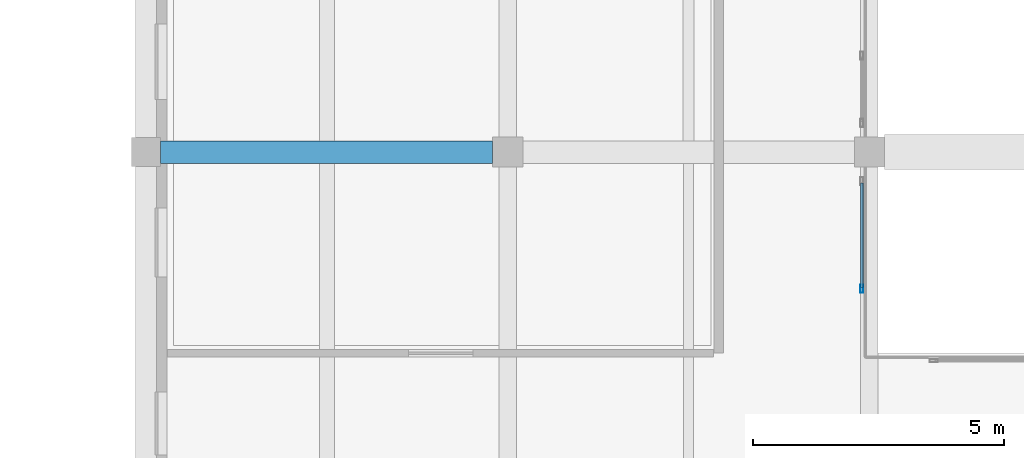
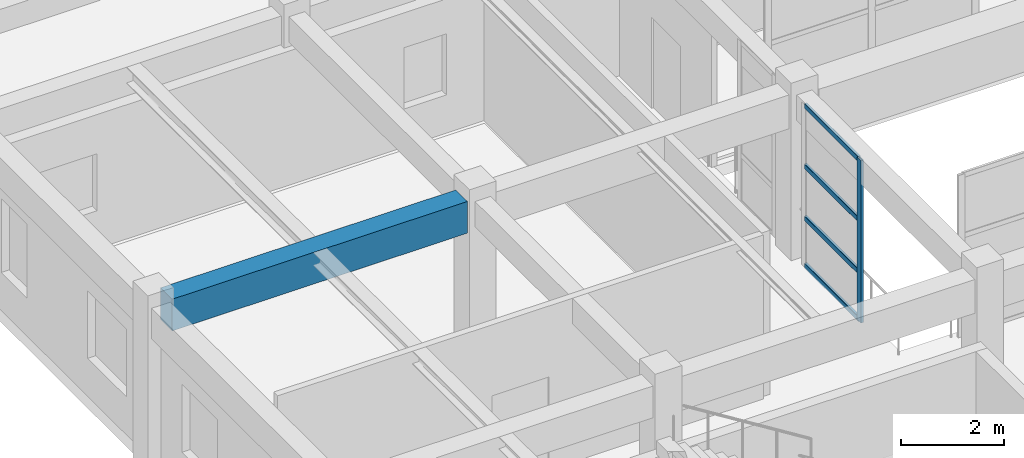
# One storey, part 31 of 99: 5 members, 1 beam, 1 element without a shape of its own.
"""IFC4 building model written with IfcOpenShell, lengths in metres."""

from ifc_helpers import new_model, si_unit, direction, frame, origin, origin_2d, place, context, subcontext, project, spatial, rectangle, hollow_rectangle, extrude, material, material_profile, profile_set, type_object, element, aggregate, save


model = new_model("IFC4")

# Units and contexts
model_context = context("Model", 3, precision=1e-05, world=origin(), true_north=direction((0.0, 1.0)))
body_context = subcontext(model_context, "Body", "Model", "MODEL_VIEW")
ifc_project = project(units=[si_unit("LENGTHUNIT", "METRE"), si_unit("AREAUNIT", "SQUARE_METRE"), si_unit("VOLUMEUNIT", "CUBIC_METRE"), si_unit("PLANEANGLEUNIT", "RADIAN"), si_unit("MASSUNIT", "GRAM", prefix="KILO")], contexts=[model_context])

# Site, building, storey
site_placement = place(None, origin())
site = spatial("IfcSite", under=ifc_project, at=site_placement, CompositionType="ELEMENT")
building_placement = place(site_placement, origin())
building = spatial("IfcBuilding", under=site, at=building_placement, Name="Bramveld Media Centre", CompositionType="ELEMENT")
storey_placement = place(building_placement, frame((0.0, 0.0, 13.800048828125)))
storey = spatial("IfcBuildingStorey", under=building, at=storey_placement, Name="L03", CompositionType="ELEMENT", Elevation=13.800048828125)

# Beam
ifc_material_1 = material(Name="Concrete C40/50", Category="concrete")
ifc_material_profile_1 = material_profile(ifc_material_1, rectangle(XDim=0.449951171875, YDim=0.75, at=origin_2d()), Name="RC 450x750")
ifc_profile_set_1 = profile_set([ifc_material_profile_1], Name="Concrete C40/50")
beam_type = type_object("IfcBeamType", Name="BM-INT-RC-450x750", PredefinedType="BEAM", material=ifc_profile_set_1)
beam_placement = place(storey_placement, frame((65.889892578125, 104.800048828125, 3.5048828125), z_axis=(1.0, 0.0, 0.0), x_axis=(0.0, 1.0, 0.0)))
element("IfcBeam", 1, at=beam_placement, inside=storey, type_object=beam_type, Name="V6 L03 girder X-1144", PredefinedType="BEAM", context=body_context, shape_type="SweptSolid", body=[
    extrude(rectangle(XDim=0.449951171875, YDim=0.75, at=origin_2d()), origin(), (0.0, 0.0, 1.0), 6.610107421875),
])

# Curtain wall, members
ifc_material_2 = material(Name="Thermally broken anodized bronze aluminium unitized curtain wall with solar-control triple glazing", Category="aluminium")
curtain_wall_type = type_object("IfcCurtainWallType", Name="CW-ATR-2200x3840", PredefinedType="NOTDEFINED", material=ifc_material_2)
curtain_wall_placement = place(storey_placement, origin())
curtain_wall = element("IfcCurtainWall", 2, at=curtain_wall_placement, inside=storey, type_object=curtain_wall_type, Name="V6 L03 atrium acoustic screen W-1", PredefinedType="NOTDEFINED")
ifc_material_3 = material(Name="Thermally broken anodized bronze aluminium EN AW-6063 T6 curtain-wall framing", Category="aluminium")
ifc_material_profile_2 = material_profile(ifc_material_3, hollow_rectangle(XDim=0.06005859375, YDim=0.159912109375, WallThickness=0.00390625, InnerFilletRadius=0.00390625, OuterFilletRadius=0.008056640625, at=origin_2d()), Name="AL-MULL 60x160")
ifc_profile_set_2 = profile_set([ifc_material_profile_2], Name="Thermally broken anodized bronze aluminium EN AW-6063 T6 curtain-wall framing")
member_type_1 = type_object("IfcMemberType", Name="CW-MULL-INT", PredefinedType="MULLION", material=ifc_profile_set_2)
member_1_placement = place(storey_placement, frame((79.85009765625, 102.080078125, 0.0), z_axis=(0.0, 0.0, 1.0), x_axis=(-1.0, 0.0, 0.0)))
member_1 = element("IfcMember", 3, at=member_1_placement, type_object=member_type_1, Name="CW-AT-2238 mullion 1", PredefinedType="MULLION", context=body_context, shape_type="SweptSolid", body=[
    extrude(hollow_rectangle(XDim=0.06005859375, YDim=0.159912109375, WallThickness=0.00390625, InnerFilletRadius=0.00390625, OuterFilletRadius=0.008056640625, at=origin_2d()), origin(), (0.0, 0.0, 1.0), 3.83984375),
])
ifc_material_4 = material(Name="Thermally broken anodized bronze aluminium EN AW-6063 T6 curtain-wall framing", Category="aluminium")
ifc_material_profile_3 = material_profile(ifc_material_4, hollow_rectangle(XDim=0.06005859375, YDim=0.1201171875, WallThickness=0.00341796875, InnerFilletRadius=0.00341796875, OuterFilletRadius=0.007080078125, at=origin_2d()), Name="AL-TRAN 60x120")
ifc_profile_set_3 = profile_set([ifc_material_profile_3], Name="Thermally broken anodized bronze aluminium EN AW-6063 T6 curtain-wall framing")
member_type_2 = type_object("IfcMemberType", Name="CW-TRAN-INT", PredefinedType="USERDEFINED", material=ifc_profile_set_3)
member_2_placement = place(storey_placement, frame((79.85009765625, 102.110107421875, 0.030029296875), z_axis=(0.0, 1.0, 0.0), x_axis=(-1.0, 0.0, 0.0)))
member_2 = element("IfcMember", 4, at=member_2_placement, type_object=member_type_2, Name="CW-AT-2238 transom 1.1", ObjectType="TRANSOM", PredefinedType="USERDEFINED", context=body_context, shape_type="SweptSolid", body=[
    extrude(hollow_rectangle(XDim=0.06005859375, YDim=0.1201171875, WallThickness=0.00341796875, InnerFilletRadius=0.00341796875, OuterFilletRadius=0.007080078125, at=origin_2d()), origin(), (0.0, 0.0, 1.0), 2.079833984375),
])
member_3_placement = place(storey_placement, frame((79.85009765625, 102.110107421875, 1.14990234375), z_axis=(0.0, 1.0, 0.0), x_axis=(-1.0, 0.0, 0.0)))
member_3 = element("IfcMember", 5, at=member_3_placement, type_object=member_type_2, Name="CW-AT-2238 transom 1.2", ObjectType="TRANSOM", PredefinedType="USERDEFINED", context=body_context, shape_type="SweptSolid", body=[
    extrude(hollow_rectangle(XDim=0.06005859375, YDim=0.1201171875, WallThickness=0.00341796875, InnerFilletRadius=0.00341796875, OuterFilletRadius=0.007080078125, at=origin_2d()), origin(), (0.0, 0.0, 1.0), 2.079833984375),
])
member_4_placement = place(storey_placement, frame((79.85009765625, 102.110107421875, 2.380859375), z_axis=(0.0, 1.0, 0.0), x_axis=(-1.0, 0.0, 0.0)))
member_4 = element("IfcMember", 6, at=member_4_placement, type_object=member_type_2, Name="CW-AT-2238 transom 1.3", ObjectType="TRANSOM", PredefinedType="USERDEFINED", context=body_context, shape_type="SweptSolid", body=[
    extrude(hollow_rectangle(XDim=0.06005859375, YDim=0.1201171875, WallThickness=0.00341796875, InnerFilletRadius=0.00341796875, OuterFilletRadius=0.007080078125, at=origin_2d()), origin(), (0.0, 0.0, 1.0), 2.079833984375),
])
member_5_placement = place(storey_placement, frame((79.85009765625, 102.110107421875, 3.81005859375), z_axis=(0.0, 1.0, 0.0), x_axis=(-1.0, 0.0, 0.0)))
member_5 = element("IfcMember", 7, at=member_5_placement, type_object=member_type_2, Name="CW-AT-2238 transom 1.4", ObjectType="TRANSOM", PredefinedType="USERDEFINED", context=body_context, shape_type="SweptSolid", body=[
    extrude(hollow_rectangle(XDim=0.06005859375, YDim=0.1201171875, WallThickness=0.00341796875, InnerFilletRadius=0.00341796875, OuterFilletRadius=0.007080078125, at=origin_2d()), origin(), (0.0, 0.0, 1.0), 2.079833984375),
])
aggregate(curtain_wall, [member_1, member_2, member_3, member_4, member_5])

save(model, "model.ifc")
